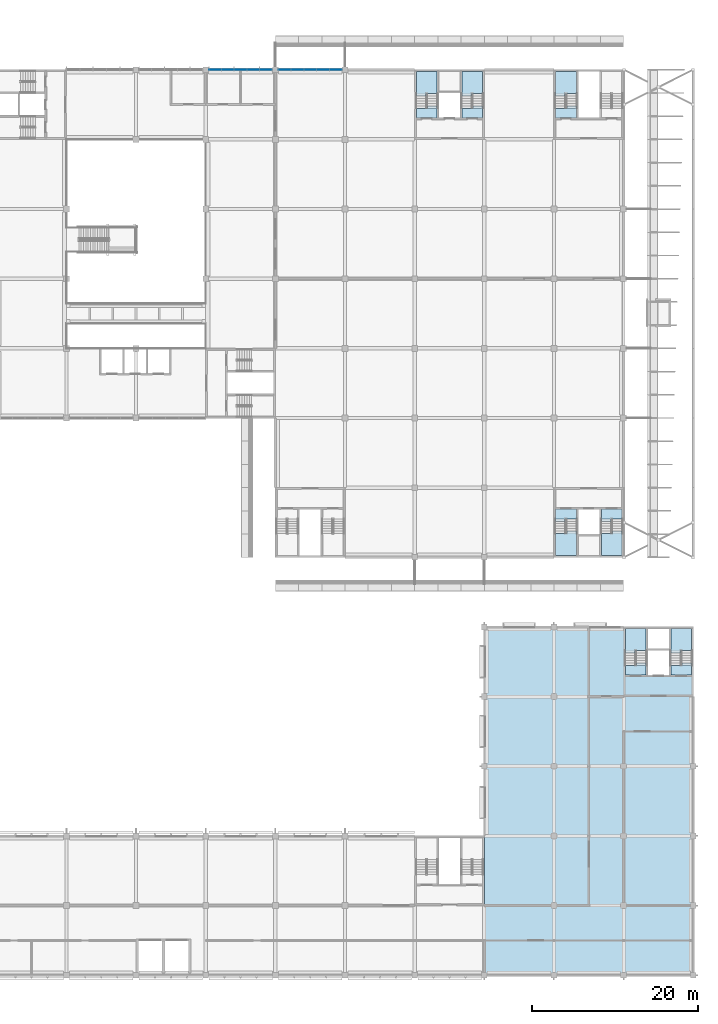
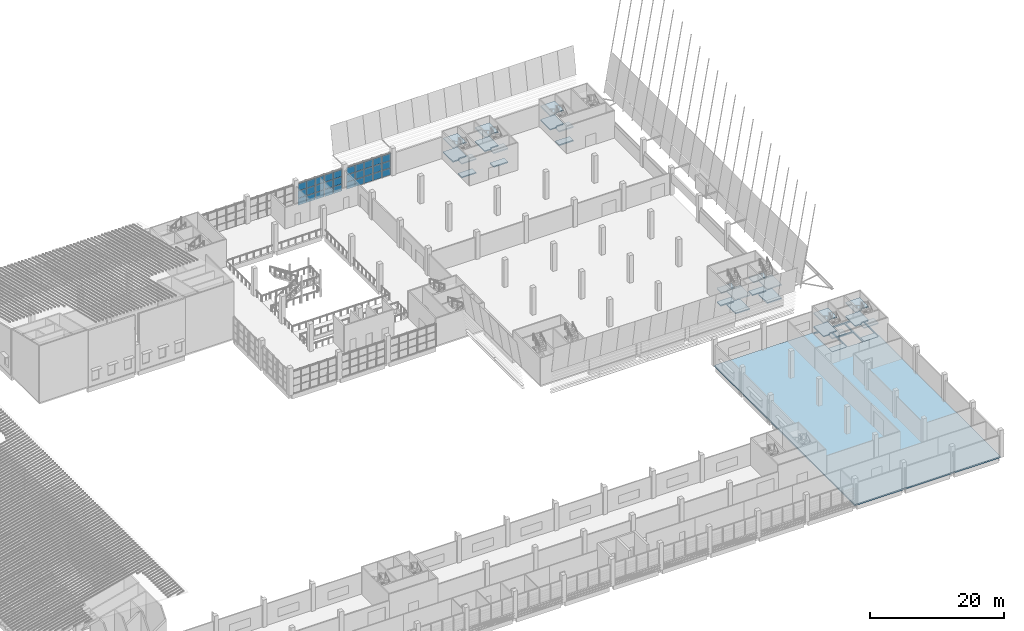
# One storey, part 15 of 82: 30 plates, 29 slabs, 9 elements without a shape of their own.
"""IFC4 building model written with IfcOpenShell, lengths in metres."""

import ifcopenshell
import ifcopenshell.guid

model = None  # the IFC model being written
_history = None  # IfcOwnerHistory: only IFC2X3 demands one
_inside = {}  # id of a spatial element -> (the spatial element, [elements in it])
_under = {}  # id of a project, library or spatial element -> (it, [spatial elements below it])
_declared = {}  # id of a project -> (the project, [libraries it declares])
_typed = {}  # id of a type object -> (the type object, [elements of that type])
_made_of = {}  # id of a material, layer set ... -> (it, [elements and type objects made of it])


def new_model(schema):
    """Start an empty IFC model of exactly this schema.

    Asked for "IFC4X3", IfcOpenShell would pick the latest addendum, in which some entities
    have other attributes; the version numbers below select the first issue.
    IFC2X3 requires an IfcOwnerHistory on every rooted entity: one is made here for all.
    """
    global model, _history
    if schema == "IFC4X3":
        model = ifcopenshell.file(schema_version=(4, 3, 0, 0))
    else:
        model = ifcopenshell.file(schema=schema)
    _inside.clear()
    _under.clear()
    _declared.clear()
    _typed.clear()
    _made_of.clear()
    _history = None
    if model.schema == "IFC2X3":
        org = make("IfcOrganization", Name="unknown")
        user = make(
            "IfcPersonAndOrganization",
            ThePerson=make("IfcPerson", FamilyName="unknown"),
            TheOrganization=org,
        )
        app = make(
            "IfcApplication",
            ApplicationDeveloper=org,
            Version="unknown",
            ApplicationFullName="unknown",
            ApplicationIdentifier="unknown",
        )
        _history = make(
            "IfcOwnerHistory",
            OwningUser=user,
            OwningApplication=app,
            ChangeAction="ADDED",
            CreationDate=0,
        )
    return model


def make(cls, **values):
    """One entity of the class cls with the attributes given. An attribute that is None is left unset."""
    return model.create_entity(
        cls, **{name: value for name, value in values.items() if value is not None}
    )


def rooted(cls, **values):
    """An entity with a GlobalId (a new one), such as an element, a storey or a relation."""
    return make(cls, GlobalId=ifcopenshell.guid.new(), OwnerHistory=_history, **values)


def si_unit(unit_type, name, prefix=None):
    """IfcSIUnit, for example si_unit("LENGTHUNIT", "METRE", prefix="MILLI")."""
    return make("IfcSIUnit", UnitType=unit_type, Prefix=prefix, Name=name)


def assignment(units):
    """IfcUnitAssignment: the units of a project."""
    return None if units is None else make("IfcUnitAssignment", Units=units)


def point(xyz):
    """IfcCartesianPoint."""
    return None if xyz is None else make("IfcCartesianPoint", Coordinates=xyz)


def direction(xyz):
    """IfcDirection."""
    return None if xyz is None else make("IfcDirection", DirectionRatios=xyz)


def frame(location, z_axis=None, x_axis=None):
    """IfcAxis2Placement3D, a coordinate frame: its origin and axes. An axis left out is left unset."""
    return make(
        "IfcAxis2Placement3D",
        Location=point(location),
        Axis=direction(z_axis),
        RefDirection=direction(x_axis),
    )


def frame_2d(location, x_axis=None):
    """IfcAxis2Placement2D, a coordinate frame in the plane: its origin and x axis."""
    return make(
        "IfcAxis2Placement2D", Location=point(location), RefDirection=direction(x_axis)
    )


def origin():
    """The frame at (0, 0, 0) with its axes left unset."""
    return frame((0.0, 0.0, 0.0))


def origin_2d():
    """The frame at (0, 0) in the plane with its x axis left unset."""
    return frame_2d((0.0, 0.0))


def place(relative_to, where):
    """IfcLocalPlacement: puts the frame where relative to a parent placement (None: the world)."""
    return make(
        "IfcLocalPlacement", PlacementRelTo=relative_to, RelativePlacement=where
    )


def context(
    kind, dimensions, precision=None, world=None, true_north=None, identifier=None
):
    """IfcGeometricRepresentationContext, for example the 3D "Model" context."""
    return make(
        "IfcGeometricRepresentationContext",
        ContextIdentifier=identifier,
        ContextType=kind,
        CoordinateSpaceDimension=dimensions,
        Precision=precision,
        WorldCoordinateSystem=world,
        TrueNorth=true_north,
    )


def subcontext(parent, identifier, kind, view, scale=None):
    """IfcGeometricRepresentationSubContext, for example "Body" below "Model"."""
    return make(
        "IfcGeometricRepresentationSubContext",
        ContextIdentifier=identifier,
        ContextType=kind,
        ParentContext=parent,
        TargetScale=scale,
        TargetView=view,
    )


def project(units=None, contexts=None):
    """IfcProject with its units and contexts."""
    return rooted(
        "IfcProject",
        Name="project",
        RepresentationContexts=contexts,
        UnitsInContext=assignment(units),
    )


def spatial(cls, under=None, at=None, **own):
    """A site, building, storey or space (cls), placed at a placement, below another one or the project."""
    s = rooted(cls, ObjectPlacement=at, **own)
    if under is not None:
        _under.setdefault(under.id(), (under, []))[1].append(s)
    return s


def polyline(points):
    """IfcPolyline through the points."""
    return make("IfcPolyline", Points=[point(p) for p in points])


def profile(cls, at=None, kind="AREA", **sizes):
    """A parametric profile (cls). Its sizes go by their IFC names, for example OverallWidth=200.0."""
    return make(cls, ProfileType=kind, Position=at, **sizes)


def rectangle(**sizes):
    """IfcRectangleProfileDef."""
    return profile("IfcRectangleProfileDef", **sizes)


def outline(outer, holes=None, kind="AREA"):
    """IfcArbitraryClosedProfileDef: a profile drawn as a closed curve; with holes, ...WithVoids."""
    if holes is None:
        return make("IfcArbitraryClosedProfileDef", ProfileType=kind, OuterCurve=outer)
    return make(
        "IfcArbitraryProfileDefWithVoids",
        ProfileType=kind,
        OuterCurve=outer,
        InnerCurves=holes,
    )


def extrude(swept, where, along, depth):
    """IfcExtrudedAreaSolid: the profile swept, set in the frame where, extruded along a direction by depth."""
    return make(
        "IfcExtrudedAreaSolid",
        SweptArea=swept,
        Position=where,
        ExtrudedDirection=direction(along),
        Depth=depth,
    )


def shape(context_of_items, identifier, shape_type, items):
    """IfcShapeRepresentation: the items that make up one representation, for example the "Body"."""
    return make(
        "IfcShapeRepresentation",
        ContextOfItems=context_of_items,
        RepresentationIdentifier=identifier,
        RepresentationType=shape_type,
        Items=items,
    )


def material(Name=None, Category=None):
    """IfcMaterial."""
    return make("IfcMaterial", Name=Name, Category=Category)


def layer(
    of_material, thickness, ventilated=None, Name=None, Category=None, Priority=None
):
    """IfcMaterialLayer: one layer of a wall or slab, of a material (None: an air gap)."""
    return make(
        "IfcMaterialLayer",
        Material=of_material,
        LayerThickness=thickness,
        IsVentilated=ventilated,
        Name=Name,
        Category=Category,
        Priority=Priority,
    )


def layer_set(layers, Name=None):
    """IfcMaterialLayerSet."""
    return make("IfcMaterialLayerSet", MaterialLayers=layers, LayerSetName=Name)


def made_of(thing, what):
    """Note that an element or type object is made of a material, layer set ...; save() writes the relation."""
    if what is not None:
        _made_of.setdefault(what.id(), (what, []))[1].append(thing)
    return thing


def type_object(cls, material=None, **own):
    """A type object (cls), such as IfcWallType, which elements share."""
    return made_of(rooted(cls, **own), material)


def element(
    cls,
    number,
    at=None,
    inside=None,
    cuts=None,
    type_object=None,
    material=None,
    context=None,
    identifier="Body",
    shape_type=None,
    held_by="IfcProductDefinitionShape",
    body=None,
    shapes=None,
    **own,
):
    """One element of the class cls, such as IfcWall. Its Tag is "e" and its number.

    at: its placement. inside: the storey or other place that contains it. cuts: it is an
    opening in that element (IfcRelVoidsElement). A single representation is given by context,
    identifier, shape_type and body (its items); several are given by shapes. held_by: the class
    of the entity that holds the representations. save() writes the other relations.
    """
    e = rooted(cls, Tag="e%d" % number, ObjectPlacement=at, **own)
    if body is not None:
        shapes = [shape(context, identifier, shape_type, body)]
    if shapes is not None:
        e.Representation = make(held_by, Representations=shapes)
    if inside is not None:
        _inside.setdefault(inside.id(), (inside, []))[1].append(e)
    if cuts is not None:
        rooted(
            "IfcRelVoidsElement", RelatingBuildingElement=cuts, RelatedOpeningElement=e
        )
    if type_object is not None:
        _typed.setdefault(type_object.id(), (type_object, []))[1].append(e)
    return made_of(e, material)


def aggregate(whole, parts):
    """IfcRelAggregates: a whole, such as a stair, and the parts it consists of."""
    return rooted("IfcRelAggregates", RelatingObject=whole, RelatedObjects=parts)


def save(model, path):
    """Write the relations noted so far, then the file.

    IfcRelAggregates (storeys below a building ...), IfcRelContainedInSpatialStructure (elements
    in a storey), IfcRelDefinesByType, IfcRelAssociatesMaterial and IfcRelDeclares: one each for
    every whole, place, type object, material and project.
    """
    for whole, parts in _under.values():
        aggregate(whole, parts)
    for where, things in _inside.values():
        rooted(
            "IfcRelContainedInSpatialStructure",
            RelatedElements=things,
            RelatingStructure=where,
        )
    for kind, things in _typed.values():
        rooted("IfcRelDefinesByType", RelatedObjects=things, RelatingType=kind)
    for what, things in _made_of.values():
        rooted("IfcRelAssociatesMaterial", RelatedObjects=things, RelatingMaterial=what)
    for by, libraries in _declared.values():
        rooted("IfcRelDeclares", RelatingContext=by, RelatedDefinitions=libraries)
    model.write(path)


model = new_model("IFC4")

# Units and contexts
model_context = context("Model", 3, precision=1e-05, world=origin(), true_north=direction((0.0, 1.0)))
body_context = subcontext(model_context, "Body", "Model", "MODEL_VIEW")
ifc_project = project(units=[si_unit("LENGTHUNIT", "METRE"), si_unit("AREAUNIT", "SQUARE_METRE"), si_unit("VOLUMEUNIT", "CUBIC_METRE"), si_unit("PLANEANGLEUNIT", "RADIAN"), si_unit("MASSUNIT", "GRAM", prefix="KILO")], contexts=[model_context])

# Site, building, storey
site_placement = place(None, origin())
site = spatial("IfcSite", under=ifc_project, at=site_placement, CompositionType="ELEMENT")
building_placement = place(site_placement, origin())
building = spatial("IfcBuilding", under=site, at=building_placement, Name="Almond Square Museum", CompositionType="ELEMENT")
storey_placement = place(building_placement, frame((0.0, 0.0, 20.0)))
storey = spatial("IfcBuildingStorey", under=building, at=storey_placement, Name="L03", CompositionType="ELEMENT", Elevation=20.0)

# Stair, slabs
ifc_material_1 = material(Name="Concrete C40/50", Category="concrete")
stair_type = type_object("IfcStairType", Name="Exit stair 28 risers of 179 mm", PredefinedType="HALF_TURN_STAIR", material=ifc_material_1)
stair_1_placement = place(storey_placement, origin())
stair_1 = element("IfcStair", 1, at=stair_1_placement, inside=storey, type_object=stair_type, Name="L03 stair H2-1", PredefinedType="HALF_TURN_STAIR")
ifc_material_2 = material(Name="Concrete C40/50", Category="concrete")
ifc_layer_1 = layer(ifc_material_2, 0.199951171875)
ifc_layer_set_1 = layer_set([ifc_layer_1], Name="Concrete C40/50")
slab_type_1 = type_object("IfcSlabType", Name="Concrete stair landing 200", PredefinedType="LANDING", material=ifc_layer_set_1)
slab_1_placement = place(storey_placement, frame((0.0, 0.0, 1.050048828125)))
slab_1 = element("IfcSlab", 2, at=slab_1_placement, type_object=slab_type_1, Name="ST-03 landing 1", PredefinedType="LANDING", context=body_context, shape_type="SweptSolid", body=[
    extrude(outline(polyline([(140.60009765625, 53.2529296875), (140.60009765625, 50.60009765625), (143.10009765625, 50.60009765625), (143.10009765625, 53.550048828125), (141.949951171875, 53.550048828125), (141.949951171875, 53.2529296875), (140.60009765625, 53.2529296875)])), origin(), (0.0, 0.0, 1.0), 0.199951171875),
])
slab_2_placement = place(storey_placement, frame((0.0, 0.0, 2.300048828125)))
slab_2 = element("IfcSlab", 3, at=slab_2_placement, type_object=slab_type_1, Name="ST-03 landing 2", PredefinedType="LANDING", context=body_context, shape_type="SweptSolid", body=[
    extrude(outline(polyline([(140.60009765625, 56.199951171875), (140.60009765625, 55.050048828125), (140.60009765625, 54.75), (141.75, 54.75), (141.75, 55.047119140625), (143.10009765625, 55.047119140625), (143.10009765625, 56.199951171875), (140.60009765625, 56.199951171875)])), origin(), (0.0, 0.0, 1.0), 0.199951171875),
])
slab_3_placement = place(storey_placement, frame((0.0, 0.0, 3.550048828125)))
slab_3 = element("IfcSlab", 4, at=slab_3_placement, type_object=slab_type_1, Name="ST-03 landing 3", PredefinedType="LANDING", context=body_context, shape_type="SweptSolid", body=[
    extrude(outline(polyline([(140.60009765625, 53.2529296875), (140.60009765625, 50.60009765625), (143.10009765625, 50.60009765625), (143.10009765625, 53.550048828125), (141.949951171875, 53.550048828125), (141.949951171875, 53.2529296875), (140.60009765625, 53.2529296875)])), origin(), (0.0, 0.0, 1.0), 0.199951171875),
])
aggregate(stair_1, [slab_1, slab_2, slab_3])

stair_2_placement = place(storey_placement, origin())
stair_2 = element("IfcStair", 5, at=stair_2_placement, inside=storey, type_object=stair_type, Name="L03 stair H2-2", PredefinedType="HALF_TURN_STAIR")
slab_4_placement = place(storey_placement, frame((0.0, 0.0, 1.050048828125)))
slab_4 = element("IfcSlab", 6, at=slab_4_placement, type_object=slab_type_1, Name="ST-04 landing 1", PredefinedType="LANDING", context=body_context, shape_type="SweptSolid", body=[
    extrude(outline(polyline([(146.10009765625, 53.2529296875), (146.10009765625, 50.60009765625), (148.60009765625, 50.60009765625), (148.60009765625, 53.550048828125), (147.449951171875, 53.550048828125), (147.449951171875, 53.2529296875), (146.10009765625, 53.2529296875)])), origin(), (0.0, 0.0, 1.0), 0.199951171875),
])
slab_5_placement = place(storey_placement, frame((0.0, 0.0, 2.300048828125)))
slab_5 = element("IfcSlab", 7, at=slab_5_placement, type_object=slab_type_1, Name="ST-04 landing 2", PredefinedType="LANDING", context=body_context, shape_type="SweptSolid", body=[
    extrude(outline(polyline([(146.10009765625, 56.199951171875), (146.10009765625, 55.050048828125), (146.10009765625, 54.75), (147.25, 54.75), (147.25, 55.047119140625), (148.60009765625, 55.047119140625), (148.60009765625, 56.199951171875), (146.10009765625, 56.199951171875)])), origin(), (0.0, 0.0, 1.0), 0.199951171875),
])
slab_6_placement = place(storey_placement, frame((0.0, 0.0, 3.550048828125)))
slab_6 = element("IfcSlab", 8, at=slab_6_placement, type_object=slab_type_1, Name="ST-04 landing 3", PredefinedType="LANDING", context=body_context, shape_type="SweptSolid", body=[
    extrude(outline(polyline([(146.10009765625, 53.2529296875), (146.10009765625, 50.60009765625), (148.60009765625, 50.60009765625), (148.60009765625, 53.550048828125), (147.449951171875, 53.550048828125), (147.449951171875, 53.2529296875), (146.10009765625, 53.2529296875)])), origin(), (0.0, 0.0, 1.0), 0.199951171875),
])
aggregate(stair_2, [slab_4, slab_5, slab_6])

stair_3_placement = place(storey_placement, origin())
stair_3 = element("IfcStair", 9, at=stair_3_placement, inside=storey, type_object=stair_type, Name="L03 stair H3-1", PredefinedType="HALF_TURN_STAIR")
slab_7_placement = place(storey_placement, frame((0.0, 0.0, 1.050048828125)))
slab_7 = element("IfcSlab", 10, at=slab_7_placement, type_object=slab_type_1, Name="ST-05 landing 1", PredefinedType="LANDING", context=body_context, shape_type="SweptSolid", body=[
    extrude(outline(polyline([(143.10009765625, 106.346923828125), (143.10009765625, 109.0), (140.60009765625, 109.0), (140.60009765625, 106.050048828125), (141.75, 106.050048828125), (141.75, 106.346923828125), (143.10009765625, 106.346923828125)])), origin(), (0.0, 0.0, 1.0), 0.199951171875),
])
slab_8_placement = place(storey_placement, frame((0.0, 0.0, 2.300048828125)))
slab_8 = element("IfcSlab", 11, at=slab_8_placement, type_object=slab_type_1, Name="ST-05 landing 2", PredefinedType="LANDING", context=body_context, shape_type="SweptSolid", body=[
    extrude(outline(polyline([(143.10009765625, 103.39990234375), (143.10009765625, 104.550048828125), (143.10009765625, 104.85009765625), (141.949951171875, 104.85009765625), (141.949951171875, 104.552978515625), (140.60009765625, 104.552978515625), (140.60009765625, 103.39990234375), (143.10009765625, 103.39990234375)])), origin(), (0.0, 0.0, 1.0), 0.199951171875),
])
slab_9_placement = place(storey_placement, frame((0.0, 0.0, 3.550048828125)))
slab_9 = element("IfcSlab", 12, at=slab_9_placement, type_object=slab_type_1, Name="ST-05 landing 3", PredefinedType="LANDING", context=body_context, shape_type="SweptSolid", body=[
    extrude(outline(polyline([(143.10009765625, 106.346923828125), (143.10009765625, 109.0), (140.60009765625, 109.0), (140.60009765625, 106.050048828125), (141.75, 106.050048828125), (141.75, 106.346923828125), (143.10009765625, 106.346923828125)])), origin(), (0.0, 0.0, 1.0), 0.199951171875),
])
aggregate(stair_3, [slab_7, slab_8, slab_9])

stair_4_placement = place(storey_placement, origin())
stair_4 = element("IfcStair", 13, at=stair_4_placement, inside=storey, type_object=stair_type, Name="L03 stair H4-1", PredefinedType="HALF_TURN_STAIR")
slab_10_placement = place(storey_placement, frame((0.0, 0.0, 1.050048828125)))
slab_10 = element("IfcSlab", 14, at=slab_10_placement, type_object=slab_type_1, Name="ST-07 landing 1", PredefinedType="LANDING", context=body_context, shape_type="SweptSolid", body=[
    extrude(outline(polyline([(126.300048828125, 106.346923828125), (126.300048828125, 109.0), (123.800048828125, 109.0), (123.800048828125, 106.050048828125), (124.949951171875, 106.050048828125), (124.949951171875, 106.346923828125), (126.300048828125, 106.346923828125)])), origin(), (0.0, 0.0, 1.0), 0.199951171875),
])
slab_11_placement = place(storey_placement, frame((0.0, 0.0, 2.300048828125)))
slab_11 = element("IfcSlab", 15, at=slab_11_placement, type_object=slab_type_1, Name="ST-07 landing 2", PredefinedType="LANDING", context=body_context, shape_type="SweptSolid", body=[
    extrude(outline(polyline([(126.300048828125, 103.39990234375), (126.300048828125, 104.550048828125), (126.300048828125, 104.85009765625), (125.14990234375, 104.85009765625), (125.14990234375, 104.552978515625), (123.800048828125, 104.552978515625), (123.800048828125, 103.39990234375), (126.300048828125, 103.39990234375)])), origin(), (0.0, 0.0, 1.0), 0.199951171875),
])
slab_12_placement = place(storey_placement, frame((0.0, 0.0, 3.550048828125)))
slab_12 = element("IfcSlab", 16, at=slab_12_placement, type_object=slab_type_1, Name="ST-07 landing 3", PredefinedType="LANDING", context=body_context, shape_type="SweptSolid", body=[
    extrude(outline(polyline([(126.300048828125, 106.346923828125), (126.300048828125, 109.0), (123.800048828125, 109.0), (123.800048828125, 106.050048828125), (124.949951171875, 106.050048828125), (124.949951171875, 106.346923828125), (126.300048828125, 106.346923828125)])), origin(), (0.0, 0.0, 1.0), 0.199951171875),
])
aggregate(stair_4, [slab_10, slab_11, slab_12])

stair_5_placement = place(storey_placement, origin())
stair_5 = element("IfcStair", 17, at=stair_5_placement, inside=storey, type_object=stair_type, Name="L03 stair H4-2", PredefinedType="HALF_TURN_STAIR")
slab_13_placement = place(storey_placement, frame((0.0, 0.0, 1.050048828125)))
slab_13 = element("IfcSlab", 18, at=slab_13_placement, type_object=slab_type_1, Name="ST-08 landing 1", PredefinedType="LANDING", context=body_context, shape_type="SweptSolid", body=[
    extrude(outline(polyline([(131.800048828125, 106.346923828125), (131.800048828125, 109.0), (129.300048828125, 109.0), (129.300048828125, 106.050048828125), (130.449951171875, 106.050048828125), (130.449951171875, 106.346923828125), (131.800048828125, 106.346923828125)])), origin(), (0.0, 0.0, 1.0), 0.199951171875),
])
slab_14_placement = place(storey_placement, frame((0.0, 0.0, 2.300048828125)))
slab_14 = element("IfcSlab", 19, at=slab_14_placement, type_object=slab_type_1, Name="ST-08 landing 2", PredefinedType="LANDING", context=body_context, shape_type="SweptSolid", body=[
    extrude(outline(polyline([(131.800048828125, 103.39990234375), (131.800048828125, 104.550048828125), (131.800048828125, 104.85009765625), (130.64990234375, 104.85009765625), (130.64990234375, 104.552978515625), (129.300048828125, 104.552978515625), (129.300048828125, 103.39990234375), (131.800048828125, 103.39990234375)])), origin(), (0.0, 0.0, 1.0), 0.199951171875),
])
slab_15_placement = place(storey_placement, frame((0.0, 0.0, 3.550048828125)))
slab_15 = element("IfcSlab", 20, at=slab_15_placement, type_object=slab_type_1, Name="ST-08 landing 3", PredefinedType="LANDING", context=body_context, shape_type="SweptSolid", body=[
    extrude(outline(polyline([(131.800048828125, 106.346923828125), (131.800048828125, 109.0), (129.300048828125, 109.0), (129.300048828125, 106.050048828125), (130.449951171875, 106.050048828125), (130.449951171875, 106.346923828125), (131.800048828125, 106.346923828125)])), origin(), (0.0, 0.0, 1.0), 0.199951171875),
])
aggregate(stair_5, [slab_13, slab_14, slab_15])

stair_6_placement = place(storey_placement, origin())
stair_6 = element("IfcStair", 21, at=stair_6_placement, inside=storey, type_object=stair_type, Name="L03 stair X1-1", PredefinedType="HALF_TURN_STAIR")
slab_16_placement = place(storey_placement, frame((0.0, 0.0, 1.050048828125)))
slab_16 = element("IfcSlab", 22, at=slab_16_placement, type_object=slab_type_1, Name="ST-33 landing 1", PredefinedType="LANDING", context=body_context, shape_type="SweptSolid", body=[
    extrude(outline(polyline([(151.5, 39.14697265625), (151.5, 41.800048828125), (149.0, 41.800048828125), (149.0, 38.85009765625), (150.14990234375, 38.85009765625), (150.14990234375, 39.14697265625), (151.5, 39.14697265625)])), origin(), (0.0, 0.0, 1.0), 0.199951171875),
])
slab_17_placement = place(storey_placement, frame((0.0, 0.0, 2.300048828125)))
slab_17 = element("IfcSlab", 23, at=slab_17_placement, type_object=slab_type_1, Name="ST-33 landing 2", PredefinedType="LANDING", context=body_context, shape_type="SweptSolid", body=[
    extrude(outline(polyline([(151.5, 36.199951171875), (151.5, 37.35009765625), (151.5, 37.64990234375), (150.35009765625, 37.64990234375), (150.35009765625, 37.35302734375), (149.0, 37.35302734375), (149.0, 36.199951171875), (151.5, 36.199951171875)])), origin(), (0.0, 0.0, 1.0), 0.199951171875),
])
slab_18_placement = place(storey_placement, frame((0.0, 0.0, 3.550048828125)))
slab_18 = element("IfcSlab", 24, at=slab_18_placement, type_object=slab_type_1, Name="ST-33 landing 3", PredefinedType="LANDING", context=body_context, shape_type="SweptSolid", body=[
    extrude(outline(polyline([(151.5, 39.14697265625), (151.5, 41.800048828125), (149.0, 41.800048828125), (149.0, 38.85009765625), (150.14990234375, 38.85009765625), (150.14990234375, 39.14697265625), (151.5, 39.14697265625)])), origin(), (0.0, 0.0, 1.0), 0.199951171875),
])
aggregate(stair_6, [slab_16, slab_17, slab_18])

stair_7_placement = place(storey_placement, origin())
stair_7 = element("IfcStair", 25, at=stair_7_placement, inside=storey, type_object=stair_type, Name="L03 stair X1-2", PredefinedType="HALF_TURN_STAIR")
slab_19_placement = place(storey_placement, frame((0.0, 0.0, 1.050048828125)))
slab_19 = element("IfcSlab", 26, at=slab_19_placement, type_object=slab_type_1, Name="ST-34 landing 1", PredefinedType="LANDING", context=body_context, shape_type="SweptSolid", body=[
    extrude(outline(polyline([(157.0, 39.14697265625), (157.0, 41.800048828125), (154.5, 41.800048828125), (154.5, 38.85009765625), (155.64990234375, 38.85009765625), (155.64990234375, 39.14697265625), (157.0, 39.14697265625)])), origin(), (0.0, 0.0, 1.0), 0.199951171875),
])
slab_20_placement = place(storey_placement, frame((0.0, 0.0, 2.300048828125)))
slab_20 = element("IfcSlab", 27, at=slab_20_placement, type_object=slab_type_1, Name="ST-34 landing 2", PredefinedType="LANDING", context=body_context, shape_type="SweptSolid", body=[
    extrude(outline(polyline([(157.0, 36.199951171875), (157.0, 37.35009765625), (157.0, 37.64990234375), (155.85009765625, 37.64990234375), (155.85009765625, 37.35302734375), (154.5, 37.35302734375), (154.5, 36.199951171875), (157.0, 36.199951171875)])), origin(), (0.0, 0.0, 1.0), 0.199951171875),
])
slab_21_placement = place(storey_placement, frame((0.0, 0.0, 3.550048828125)))
slab_21 = element("IfcSlab", 28, at=slab_21_placement, type_object=slab_type_1, Name="ST-34 landing 3", PredefinedType="LANDING", context=body_context, shape_type="SweptSolid", body=[
    extrude(outline(polyline([(157.0, 39.14697265625), (157.0, 41.800048828125), (154.5, 41.800048828125), (154.5, 38.85009765625), (155.64990234375, 38.85009765625), (155.64990234375, 39.14697265625), (157.0, 39.14697265625)])), origin(), (0.0, 0.0, 1.0), 0.199951171875),
])
aggregate(stair_7, [slab_19, slab_20, slab_21])

# Slabs
slab_22_placement = place(storey_placement, frame((0.0, 0.0, -0.199951171875)))
element("IfcSlab", 29, at=slab_22_placement, inside=storey, type_object=slab_type_1, Name="L03 stair H2-1 floor landing", PredefinedType="LANDING", context=body_context, shape_type="SweptSolid", body=[
    extrude(outline(polyline([(140.60009765625, 55.047119140625), (143.10009765625, 55.047119140625), (143.10009765625, 56.199951171875), (140.60009765625, 56.199951171875), (140.60009765625, 55.047119140625)])), origin(), (0.0, 0.0, 1.0), 0.199951171875),
])
slab_23_placement = place(storey_placement, frame((0.0, 0.0, -0.199951171875)))
element("IfcSlab", 30, at=slab_23_placement, inside=storey, type_object=slab_type_1, Name="L03 stair H2-2 floor landing", PredefinedType="LANDING", context=body_context, shape_type="SweptSolid", body=[
    extrude(outline(polyline([(146.10009765625, 55.047119140625), (148.60009765625, 55.047119140625), (148.60009765625, 56.199951171875), (146.10009765625, 56.199951171875), (146.10009765625, 55.047119140625)])), origin(), (0.0, 0.0, 1.0), 0.199951171875),
])
slab_24_placement = place(storey_placement, frame((0.0, 0.0, -0.199951171875)))
element("IfcSlab", 31, at=slab_24_placement, inside=storey, type_object=slab_type_1, Name="L03 stair H3-1 floor landing", PredefinedType="LANDING", context=body_context, shape_type="SweptSolid", body=[
    extrude(outline(polyline([(140.60009765625, 103.39990234375), (143.10009765625, 103.39990234375), (143.10009765625, 104.552978515625), (140.60009765625, 104.552978515625), (140.60009765625, 103.39990234375)])), origin(), (0.0, 0.0, 1.0), 0.199951171875),
])
slab_25_placement = place(storey_placement, frame((0.0, 0.0, -0.199951171875)))
element("IfcSlab", 32, at=slab_25_placement, inside=storey, type_object=slab_type_1, Name="L03 stair H4-1 floor landing", PredefinedType="LANDING", context=body_context, shape_type="SweptSolid", body=[
    extrude(outline(polyline([(123.800048828125, 103.39990234375), (126.300048828125, 103.39990234375), (126.300048828125, 104.552978515625), (123.800048828125, 104.552978515625), (123.800048828125, 103.39990234375)])), origin(), (0.0, 0.0, 1.0), 0.199951171875),
])
slab_26_placement = place(storey_placement, frame((0.0, 0.0, -0.199951171875)))
element("IfcSlab", 33, at=slab_26_placement, inside=storey, type_object=slab_type_1, Name="L03 stair H4-2 floor landing", PredefinedType="LANDING", context=body_context, shape_type="SweptSolid", body=[
    extrude(outline(polyline([(129.300048828125, 103.39990234375), (131.800048828125, 103.39990234375), (131.800048828125, 104.552978515625), (129.300048828125, 104.552978515625), (129.300048828125, 103.39990234375)])), origin(), (0.0, 0.0, 1.0), 0.199951171875),
])
slab_27_placement = place(storey_placement, frame((0.0, 0.0, -0.199951171875)))
element("IfcSlab", 34, at=slab_27_placement, inside=storey, type_object=slab_type_1, Name="L03 stair X1-1 floor landing", PredefinedType="LANDING", context=body_context, shape_type="SweptSolid", body=[
    extrude(outline(polyline([(149.0, 36.199951171875), (151.5, 36.199951171875), (151.5, 37.35302734375), (149.0, 37.35302734375), (149.0, 36.199951171875)])), origin(), (0.0, 0.0, 1.0), 0.199951171875),
])
slab_28_placement = place(storey_placement, frame((0.0, 0.0, -0.199951171875)))
element("IfcSlab", 35, at=slab_28_placement, inside=storey, type_object=slab_type_1, Name="L03 stair X1-2 floor landing", PredefinedType="LANDING", context=body_context, shape_type="SweptSolid", body=[
    extrude(outline(polyline([(154.5, 36.199951171875), (157.0, 36.199951171875), (157.0, 37.35302734375), (154.5, 37.35302734375), (154.5, 36.199951171875)])), origin(), (0.0, 0.0, 1.0), 0.199951171875),
])

# Curtain wall, plates
ifc_material_3 = material(Name="Aluminium and laminated glass", Category="aluminium")
curtain_wall_type = type_object("IfcCurtainWallType", Name="Unitised curtain wall 1500 module", PredefinedType="NOTDEFINED", material=ifc_material_3)
curtain_wall_1_placement = place(storey_placement, origin())
curtain_wall_1 = element("IfcCurtainWall", 36, at=curtain_wall_1_placement, inside=storey, type_object=curtain_wall_type, Name="Curtain wall CW-31", PredefinedType="NOTDEFINED")
ifc_material_4 = material(Name="Laminated hurricane-rated glass", Category="glass")
ifc_layer_2 = layer(ifc_material_4, 0.035888671875)
ifc_layer_set_2 = layer_set([ifc_layer_2], Name="Laminated hurricane-rated glass")
plate_type = type_object("IfcPlateType", Name="Laminated glass panel 36", PredefinedType="CURTAIN_PANEL", material=ifc_layer_set_2)
plate_1_placement = place(storey_placement, frame((107.93505859375, 109.199951171875, 0.06005859375), z_axis=(0.0, 0.0, 1.0), x_axis=(1.0, 0.0, 0.0)))
plate_1 = element("IfcPlate", 37, at=plate_1_placement, type_object=plate_type, Name="CW-31 panel 1.1", PredefinedType="CURTAIN_PANEL", context=body_context, shape_type="SweptSolid", body=[
    extrude(rectangle(XDim=1.449951171875, YDim=0.035888671875, at=origin_2d()), origin(), (0.0, 0.0, 1.0), 1.260009765625),
])
plate_2_placement = place(storey_placement, frame((107.93505859375, 109.199951171875, 1.3798828125), z_axis=(0.0, 0.0, 1.0), x_axis=(1.0, 0.0, 0.0)))
plate_2 = element("IfcPlate", 38, at=plate_2_placement, type_object=plate_type, Name="CW-31 panel 1.2", PredefinedType="CURTAIN_PANEL", context=body_context, shape_type="SweptSolid", body=[
    extrude(rectangle(XDim=1.449951171875, YDim=0.035888671875, at=origin_2d()), origin(), (0.0, 0.0, 1.0), 1.2900390625),
])
plate_3_placement = place(storey_placement, frame((107.93505859375, 109.199951171875, 2.72998046875), z_axis=(0.0, 0.0, 1.0), x_axis=(1.0, 0.0, 0.0)))
plate_3 = element("IfcPlate", 39, at=plate_3_placement, type_object=plate_type, Name="CW-31 panel 1.3", PredefinedType="CURTAIN_PANEL", context=body_context, shape_type="SweptSolid", body=[
    extrude(rectangle(XDim=1.449951171875, YDim=0.035888671875, at=origin_2d()), origin(), (0.0, 0.0, 1.0), 1.260009765625),
])
plate_4_placement = place(storey_placement, frame((109.4599609375, 109.199951171875, 0.06005859375), z_axis=(0.0, 0.0, 1.0), x_axis=(1.0, 0.0, 0.0)))
plate_4 = element("IfcPlate", 40, at=plate_4_placement, type_object=plate_type, Name="CW-31 panel 2.1", PredefinedType="CURTAIN_PANEL", context=body_context, shape_type="SweptSolid", body=[
    extrude(rectangle(XDim=1.47998046875, YDim=0.035888671875, at=origin_2d()), origin(), (0.0, 0.0, 1.0), 1.260009765625),
])
plate_5_placement = place(storey_placement, frame((109.4599609375, 109.199951171875, 1.3798828125), z_axis=(0.0, 0.0, 1.0), x_axis=(1.0, 0.0, 0.0)))
plate_5 = element("IfcPlate", 41, at=plate_5_placement, type_object=plate_type, Name="CW-31 panel 2.2", PredefinedType="CURTAIN_PANEL", context=body_context, shape_type="SweptSolid", body=[
    extrude(rectangle(XDim=1.47998046875, YDim=0.035888671875, at=origin_2d()), origin(), (0.0, 0.0, 1.0), 1.2900390625),
])
plate_6_placement = place(storey_placement, frame((109.4599609375, 109.199951171875, 2.72998046875), z_axis=(0.0, 0.0, 1.0), x_axis=(1.0, 0.0, 0.0)))
plate_6 = element("IfcPlate", 42, at=plate_6_placement, type_object=plate_type, Name="CW-31 panel 2.3", PredefinedType="CURTAIN_PANEL", context=body_context, shape_type="SweptSolid", body=[
    extrude(rectangle(XDim=1.47998046875, YDim=0.035888671875, at=origin_2d()), origin(), (0.0, 0.0, 1.0), 1.260009765625),
])
plate_7_placement = place(storey_placement, frame((111.0, 109.199951171875, 0.06005859375), z_axis=(0.0, 0.0, 1.0), x_axis=(1.0, 0.0, 0.0)))
plate_7 = element("IfcPlate", 43, at=plate_7_placement, type_object=plate_type, Name="CW-31 panel 3.1", PredefinedType="CURTAIN_PANEL", context=body_context, shape_type="SweptSolid", body=[
    extrude(rectangle(XDim=1.47998046875, YDim=0.035888671875, at=origin_2d()), origin(), (0.0, 0.0, 1.0), 1.260009765625),
])
plate_8_placement = place(storey_placement, frame((111.0, 109.199951171875, 1.3798828125), z_axis=(0.0, 0.0, 1.0), x_axis=(1.0, 0.0, 0.0)))
plate_8 = element("IfcPlate", 44, at=plate_8_placement, type_object=plate_type, Name="CW-31 panel 3.2", PredefinedType="CURTAIN_PANEL", context=body_context, shape_type="SweptSolid", body=[
    extrude(rectangle(XDim=1.47998046875, YDim=0.035888671875, at=origin_2d()), origin(), (0.0, 0.0, 1.0), 1.2900390625),
])
plate_9_placement = place(storey_placement, frame((111.0, 109.199951171875, 2.72998046875), z_axis=(0.0, 0.0, 1.0), x_axis=(1.0, 0.0, 0.0)))
plate_9 = element("IfcPlate", 45, at=plate_9_placement, type_object=plate_type, Name="CW-31 panel 3.3", PredefinedType="CURTAIN_PANEL", context=body_context, shape_type="SweptSolid", body=[
    extrude(rectangle(XDim=1.47998046875, YDim=0.035888671875, at=origin_2d()), origin(), (0.0, 0.0, 1.0), 1.260009765625),
])
plate_10_placement = place(storey_placement, frame((112.5400390625, 109.199951171875, 0.06005859375), z_axis=(0.0, 0.0, 1.0), x_axis=(1.0, 0.0, 0.0)))
plate_10 = element("IfcPlate", 46, at=plate_10_placement, type_object=plate_type, Name="CW-31 panel 4.1", PredefinedType="CURTAIN_PANEL", context=body_context, shape_type="SweptSolid", body=[
    extrude(rectangle(XDim=1.47998046875, YDim=0.035888671875, at=origin_2d()), origin(), (0.0, 0.0, 1.0), 1.260009765625),
])
plate_11_placement = place(storey_placement, frame((112.5400390625, 109.199951171875, 1.3798828125), z_axis=(0.0, 0.0, 1.0), x_axis=(1.0, 0.0, 0.0)))
plate_11 = element("IfcPlate", 47, at=plate_11_placement, type_object=plate_type, Name="CW-31 panel 4.2", PredefinedType="CURTAIN_PANEL", context=body_context, shape_type="SweptSolid", body=[
    extrude(rectangle(XDim=1.47998046875, YDim=0.035888671875, at=origin_2d()), origin(), (0.0, 0.0, 1.0), 1.2900390625),
])
plate_12_placement = place(storey_placement, frame((112.5400390625, 109.199951171875, 2.72998046875), z_axis=(0.0, 0.0, 1.0), x_axis=(1.0, 0.0, 0.0)))
plate_12 = element("IfcPlate", 48, at=plate_12_placement, type_object=plate_type, Name="CW-31 panel 4.3", PredefinedType="CURTAIN_PANEL", context=body_context, shape_type="SweptSolid", body=[
    extrude(rectangle(XDim=1.47998046875, YDim=0.035888671875, at=origin_2d()), origin(), (0.0, 0.0, 1.0), 1.260009765625),
])
plate_13_placement = place(storey_placement, frame((114.06494140625, 109.199951171875, 0.06005859375), z_axis=(0.0, 0.0, 1.0), x_axis=(1.0, 0.0, 0.0)))
plate_13 = element("IfcPlate", 49, at=plate_13_placement, type_object=plate_type, Name="CW-31 panel 5.1", PredefinedType="CURTAIN_PANEL", context=body_context, shape_type="SweptSolid", body=[
    extrude(rectangle(XDim=1.449951171875, YDim=0.035888671875, at=origin_2d()), origin(), (0.0, 0.0, 1.0), 1.260009765625),
])
plate_14_placement = place(storey_placement, frame((114.06494140625, 109.199951171875, 1.3798828125), z_axis=(0.0, 0.0, 1.0), x_axis=(1.0, 0.0, 0.0)))
plate_14 = element("IfcPlate", 50, at=plate_14_placement, type_object=plate_type, Name="CW-31 panel 5.2", PredefinedType="CURTAIN_PANEL", context=body_context, shape_type="SweptSolid", body=[
    extrude(rectangle(XDim=1.449951171875, YDim=0.035888671875, at=origin_2d()), origin(), (0.0, 0.0, 1.0), 1.2900390625),
])
plate_15_placement = place(storey_placement, frame((114.06494140625, 109.199951171875, 2.72998046875), z_axis=(0.0, 0.0, 1.0), x_axis=(1.0, 0.0, 0.0)))
plate_15 = element("IfcPlate", 51, at=plate_15_placement, type_object=plate_type, Name="CW-31 panel 5.3", PredefinedType="CURTAIN_PANEL", context=body_context, shape_type="SweptSolid", body=[
    extrude(rectangle(XDim=1.449951171875, YDim=0.035888671875, at=origin_2d()), origin(), (0.0, 0.0, 1.0), 1.260009765625),
])
aggregate(curtain_wall_1, [plate_1, plate_2, plate_3, plate_4, plate_5, plate_6, plate_7, plate_8, plate_9, plate_10, plate_11, plate_12, plate_13, plate_14, plate_15])

curtain_wall_2_placement = place(storey_placement, origin())
curtain_wall_2 = element("IfcCurtainWall", 52, at=curtain_wall_2_placement, inside=storey, type_object=curtain_wall_type, Name="Curtain wall CW-32", PredefinedType="NOTDEFINED")
plate_16_placement = place(storey_placement, frame((99.534912109375, 109.199951171875, 0.06005859375), z_axis=(0.0, 0.0, 1.0), x_axis=(1.0, 0.0, 0.0)))
plate_16 = element("IfcPlate", 53, at=plate_16_placement, type_object=plate_type, Name="CW-32 panel 1.1", PredefinedType="CURTAIN_PANEL", context=body_context, shape_type="SweptSolid", body=[
    extrude(rectangle(XDim=1.449951171875, YDim=0.035888671875, at=origin_2d()), origin(), (0.0, 0.0, 1.0), 1.260009765625),
])
plate_17_placement = place(storey_placement, frame((99.534912109375, 109.199951171875, 1.3798828125), z_axis=(0.0, 0.0, 1.0), x_axis=(1.0, 0.0, 0.0)))
plate_17 = element("IfcPlate", 54, at=plate_17_placement, type_object=plate_type, Name="CW-32 panel 1.2", PredefinedType="CURTAIN_PANEL", context=body_context, shape_type="SweptSolid", body=[
    extrude(rectangle(XDim=1.449951171875, YDim=0.035888671875, at=origin_2d()), origin(), (0.0, 0.0, 1.0), 1.2900390625),
])
plate_18_placement = place(storey_placement, frame((99.534912109375, 109.199951171875, 2.72998046875), z_axis=(0.0, 0.0, 1.0), x_axis=(1.0, 0.0, 0.0)))
plate_18 = element("IfcPlate", 55, at=plate_18_placement, type_object=plate_type, Name="CW-32 panel 1.3", PredefinedType="CURTAIN_PANEL", context=body_context, shape_type="SweptSolid", body=[
    extrude(rectangle(XDim=1.449951171875, YDim=0.035888671875, at=origin_2d()), origin(), (0.0, 0.0, 1.0), 1.260009765625),
])
plate_19_placement = place(storey_placement, frame((101.06005859375, 109.199951171875, 0.06005859375), z_axis=(0.0, 0.0, 1.0), x_axis=(1.0, 0.0, 0.0)))
plate_19 = element("IfcPlate", 56, at=plate_19_placement, type_object=plate_type, Name="CW-32 panel 2.1", PredefinedType="CURTAIN_PANEL", context=body_context, shape_type="SweptSolid", body=[
    extrude(rectangle(XDim=1.47998046875, YDim=0.035888671875, at=origin_2d()), origin(), (0.0, 0.0, 1.0), 1.260009765625),
])
plate_20_placement = place(storey_placement, frame((101.06005859375, 109.199951171875, 1.3798828125), z_axis=(0.0, 0.0, 1.0), x_axis=(1.0, 0.0, 0.0)))
plate_20 = element("IfcPlate", 57, at=plate_20_placement, type_object=plate_type, Name="CW-32 panel 2.2", PredefinedType="CURTAIN_PANEL", context=body_context, shape_type="SweptSolid", body=[
    extrude(rectangle(XDim=1.47998046875, YDim=0.035888671875, at=origin_2d()), origin(), (0.0, 0.0, 1.0), 1.2900390625),
])
plate_21_placement = place(storey_placement, frame((101.06005859375, 109.199951171875, 2.72998046875), z_axis=(0.0, 0.0, 1.0), x_axis=(1.0, 0.0, 0.0)))
plate_21 = element("IfcPlate", 58, at=plate_21_placement, type_object=plate_type, Name="CW-32 panel 2.3", PredefinedType="CURTAIN_PANEL", context=body_context, shape_type="SweptSolid", body=[
    extrude(rectangle(XDim=1.47998046875, YDim=0.035888671875, at=origin_2d()), origin(), (0.0, 0.0, 1.0), 1.260009765625),
])
plate_22_placement = place(storey_placement, frame((102.60009765625, 109.199951171875, 0.06005859375), z_axis=(0.0, 0.0, 1.0), x_axis=(1.0, 0.0, 0.0)))
plate_22 = element("IfcPlate", 59, at=plate_22_placement, type_object=plate_type, Name="CW-32 panel 3.1", PredefinedType="CURTAIN_PANEL", context=body_context, shape_type="SweptSolid", body=[
    extrude(rectangle(XDim=1.47998046875, YDim=0.035888671875, at=origin_2d()), origin(), (0.0, 0.0, 1.0), 1.260009765625),
])
plate_23_placement = place(storey_placement, frame((102.60009765625, 109.199951171875, 1.3798828125), z_axis=(0.0, 0.0, 1.0), x_axis=(1.0, 0.0, 0.0)))
plate_23 = element("IfcPlate", 60, at=plate_23_placement, type_object=plate_type, Name="CW-32 panel 3.2", PredefinedType="CURTAIN_PANEL", context=body_context, shape_type="SweptSolid", body=[
    extrude(rectangle(XDim=1.47998046875, YDim=0.035888671875, at=origin_2d()), origin(), (0.0, 0.0, 1.0), 1.2900390625),
])
plate_24_placement = place(storey_placement, frame((102.60009765625, 109.199951171875, 2.72998046875), z_axis=(0.0, 0.0, 1.0), x_axis=(1.0, 0.0, 0.0)))
plate_24 = element("IfcPlate", 61, at=plate_24_placement, type_object=plate_type, Name="CW-32 panel 3.3", PredefinedType="CURTAIN_PANEL", context=body_context, shape_type="SweptSolid", body=[
    extrude(rectangle(XDim=1.47998046875, YDim=0.035888671875, at=origin_2d()), origin(), (0.0, 0.0, 1.0), 1.260009765625),
])
plate_25_placement = place(storey_placement, frame((104.139892578125, 109.199951171875, 0.06005859375), z_axis=(0.0, 0.0, 1.0), x_axis=(1.0, 0.0, 0.0)))
plate_25 = element("IfcPlate", 62, at=plate_25_placement, type_object=plate_type, Name="CW-32 panel 4.1", PredefinedType="CURTAIN_PANEL", context=body_context, shape_type="SweptSolid", body=[
    extrude(rectangle(XDim=1.47998046875, YDim=0.035888671875, at=origin_2d()), origin(), (0.0, 0.0, 1.0), 1.260009765625),
])
plate_26_placement = place(storey_placement, frame((104.139892578125, 109.199951171875, 1.3798828125), z_axis=(0.0, 0.0, 1.0), x_axis=(1.0, 0.0, 0.0)))
plate_26 = element("IfcPlate", 63, at=plate_26_placement, type_object=plate_type, Name="CW-32 panel 4.2", PredefinedType="CURTAIN_PANEL", context=body_context, shape_type="SweptSolid", body=[
    extrude(rectangle(XDim=1.47998046875, YDim=0.035888671875, at=origin_2d()), origin(), (0.0, 0.0, 1.0), 1.2900390625),
])
plate_27_placement = place(storey_placement, frame((104.139892578125, 109.199951171875, 2.72998046875), z_axis=(0.0, 0.0, 1.0), x_axis=(1.0, 0.0, 0.0)))
plate_27 = element("IfcPlate", 64, at=plate_27_placement, type_object=plate_type, Name="CW-32 panel 4.3", PredefinedType="CURTAIN_PANEL", context=body_context, shape_type="SweptSolid", body=[
    extrude(rectangle(XDim=1.47998046875, YDim=0.035888671875, at=origin_2d()), origin(), (0.0, 0.0, 1.0), 1.260009765625),
])
plate_28_placement = place(storey_placement, frame((105.6650390625, 109.199951171875, 0.06005859375), z_axis=(0.0, 0.0, 1.0), x_axis=(1.0, 0.0, 0.0)))
plate_28 = element("IfcPlate", 65, at=plate_28_placement, type_object=plate_type, Name="CW-32 panel 5.1", PredefinedType="CURTAIN_PANEL", context=body_context, shape_type="SweptSolid", body=[
    extrude(rectangle(XDim=1.449951171875, YDim=0.035888671875, at=origin_2d()), origin(), (0.0, 0.0, 1.0), 1.260009765625),
])
plate_29_placement = place(storey_placement, frame((105.6650390625, 109.199951171875, 1.3798828125), z_axis=(0.0, 0.0, 1.0), x_axis=(1.0, 0.0, 0.0)))
plate_29 = element("IfcPlate", 66, at=plate_29_placement, type_object=plate_type, Name="CW-32 panel 5.2", PredefinedType="CURTAIN_PANEL", context=body_context, shape_type="SweptSolid", body=[
    extrude(rectangle(XDim=1.449951171875, YDim=0.035888671875, at=origin_2d()), origin(), (0.0, 0.0, 1.0), 1.2900390625),
])
plate_30_placement = place(storey_placement, frame((105.6650390625, 109.199951171875, 2.72998046875), z_axis=(0.0, 0.0, 1.0), x_axis=(1.0, 0.0, 0.0)))
plate_30 = element("IfcPlate", 67, at=plate_30_placement, type_object=plate_type, Name="CW-32 panel 5.3", PredefinedType="CURTAIN_PANEL", context=body_context, shape_type="SweptSolid", body=[
    extrude(rectangle(XDim=1.449951171875, YDim=0.035888671875, at=origin_2d()), origin(), (0.0, 0.0, 1.0), 1.260009765625),
])
aggregate(curtain_wall_2, [plate_16, plate_17, plate_18, plate_19, plate_20, plate_21, plate_22, plate_23, plate_24, plate_25, plate_26, plate_27, plate_28, plate_29, plate_30])

# Slab
ifc_material_5 = material(Name="Concrete C40/50", Category="concrete")
ifc_layer_3 = layer(ifc_material_5, 0.25)
ifc_layer_set_3 = layer_set([ifc_layer_3], Name="Concrete C40/50")
slab_type_2 = type_object("IfcSlabType", Name="RC floor slab 250 C40/50", PredefinedType="FLOOR", material=ifc_layer_set_3)
slab_29_placement = place(storey_placement, frame((0.0, 0.0, -0.25)))
element("IfcSlab", 68, at=slab_29_placement, inside=storey, type_object=slab_type_2, Name="Floor slab L03 V5E", PredefinedType="FLOOR", context=body_context, shape_type="SweptSolid", body=[
    extrude(outline(polyline([(157.199951171875, 0.0), (132.0, 0.0), (132.0, 16.800048828125), (132.0, 42.0), (157.199951171875, 42.0), (157.199951171875, 0.0)]), holes=[polyline([(151.699951171875, 36.199951171875), (154.300048828125, 36.199951171875), (154.300048828125, 39.199951171875), (151.699951171875, 39.199951171875), (151.699951171875, 36.199951171875)]), polyline([(151.5, 36.199951171875), (151.5, 41.800048828125), (149.0, 41.800048828125), (149.0, 36.199951171875), (151.5, 36.199951171875)]), polyline([(154.5, 36.199951171875), (157.0, 36.199951171875), (157.0, 41.800048828125), (154.5, 41.800048828125), (154.5, 36.199951171875)]), polyline([(151.699951171875, 39.39990234375), (154.300048828125, 39.39990234375), (154.300048828125, 41.800048828125), (151.699951171875, 41.800048828125), (151.699951171875, 39.39990234375)])]), origin(), (0.0, 0.0, 1.0), 0.25),
])

save(model, "model.ifc")
